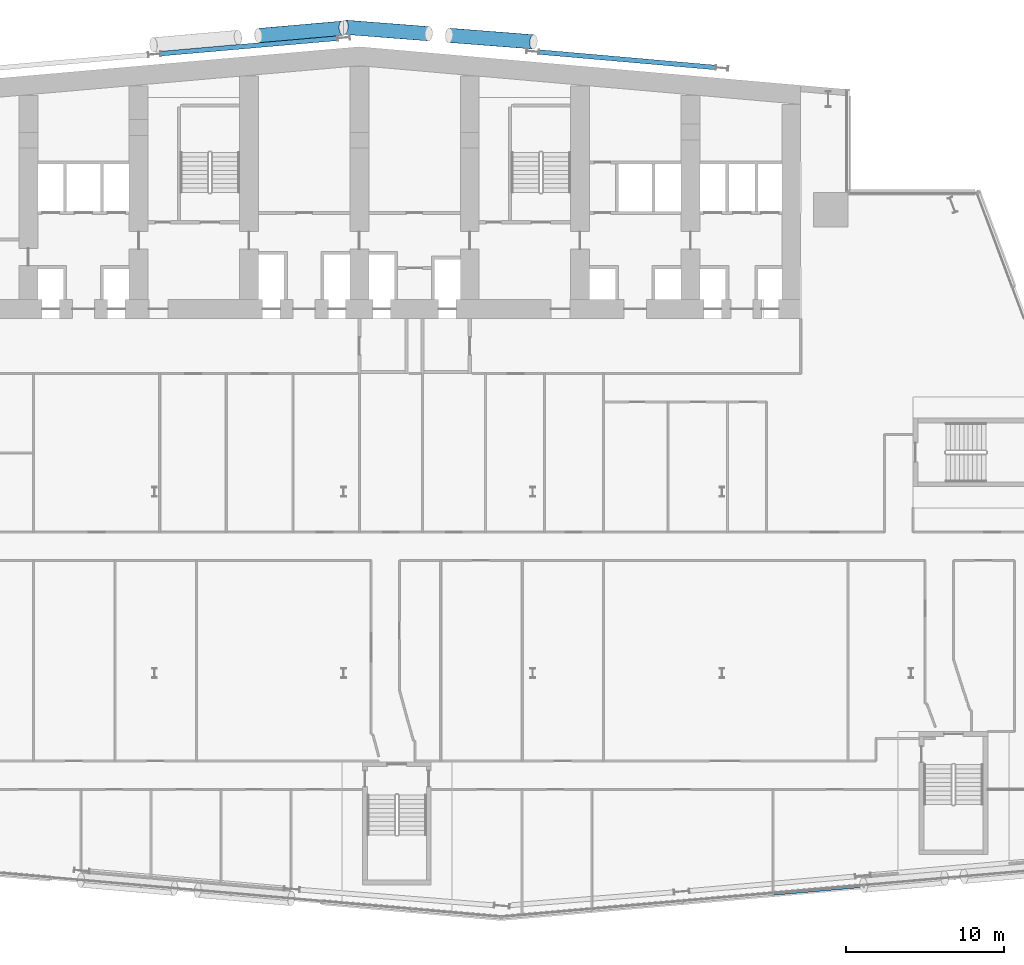
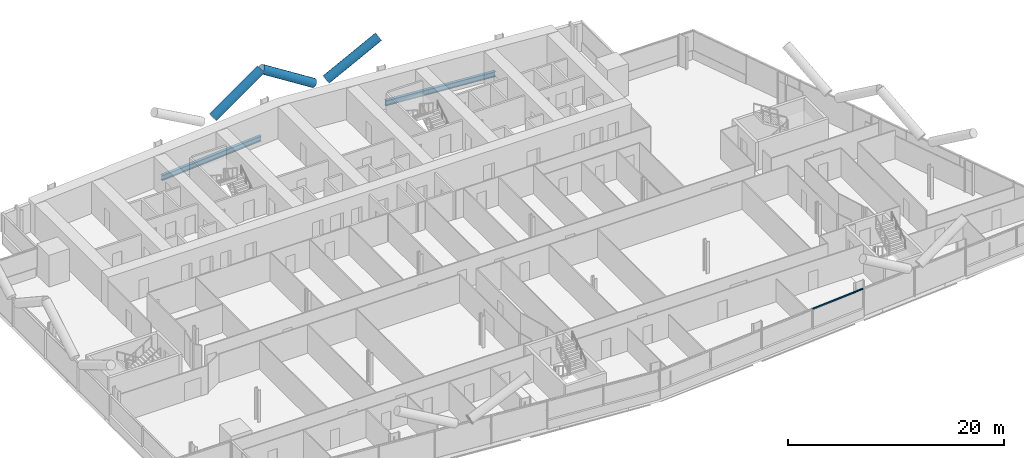
# One storey, part 8 of 27: 4 members, 2 beams, 1 element without a shape of its own.
"""IFC4 building model written with IfcOpenShell, lengths in metres."""

import ifcopenshell
import ifcopenshell.guid

model = None  # the IFC model being written
_history = None  # IfcOwnerHistory: only IFC2X3 demands one
_inside = {}  # id of a spatial element -> (the spatial element, [elements in it])
_under = {}  # id of a project, library or spatial element -> (it, [spatial elements below it])
_declared = {}  # id of a project -> (the project, [libraries it declares])
_typed = {}  # id of a type object -> (the type object, [elements of that type])
_made_of = {}  # id of a material, layer set ... -> (it, [elements and type objects made of it])


def new_model(schema):
    """Start an empty IFC model of exactly this schema.

    Asked for "IFC4X3", IfcOpenShell would pick the latest addendum, in which some entities
    have other attributes; the version numbers below select the first issue.
    IFC2X3 requires an IfcOwnerHistory on every rooted entity: one is made here for all.
    """
    global model, _history
    if schema == "IFC4X3":
        model = ifcopenshell.file(schema_version=(4, 3, 0, 0))
    else:
        model = ifcopenshell.file(schema=schema)
    _inside.clear()
    _under.clear()
    _declared.clear()
    _typed.clear()
    _made_of.clear()
    _history = None
    if model.schema == "IFC2X3":
        org = make("IfcOrganization", Name="unknown")
        user = make(
            "IfcPersonAndOrganization",
            ThePerson=make("IfcPerson", FamilyName="unknown"),
            TheOrganization=org,
        )
        app = make(
            "IfcApplication",
            ApplicationDeveloper=org,
            Version="unknown",
            ApplicationFullName="unknown",
            ApplicationIdentifier="unknown",
        )
        _history = make(
            "IfcOwnerHistory",
            OwningUser=user,
            OwningApplication=app,
            ChangeAction="ADDED",
            CreationDate=0,
        )
    return model


def make(cls, **values):
    """One entity of the class cls with the attributes given. An attribute that is None is left unset."""
    return model.create_entity(
        cls, **{name: value for name, value in values.items() if value is not None}
    )


def rooted(cls, **values):
    """An entity with a GlobalId (a new one), such as an element, a storey or a relation."""
    return make(cls, GlobalId=ifcopenshell.guid.new(), OwnerHistory=_history, **values)


def si_unit(unit_type, name, prefix=None):
    """IfcSIUnit, for example si_unit("LENGTHUNIT", "METRE", prefix="MILLI")."""
    return make("IfcSIUnit", UnitType=unit_type, Prefix=prefix, Name=name)


def assignment(units):
    """IfcUnitAssignment: the units of a project."""
    return None if units is None else make("IfcUnitAssignment", Units=units)


def point(xyz):
    """IfcCartesianPoint."""
    return None if xyz is None else make("IfcCartesianPoint", Coordinates=xyz)


def direction(xyz):
    """IfcDirection."""
    return None if xyz is None else make("IfcDirection", DirectionRatios=xyz)


def frame(location, z_axis=None, x_axis=None):
    """IfcAxis2Placement3D, a coordinate frame: its origin and axes. An axis left out is left unset."""
    return make(
        "IfcAxis2Placement3D",
        Location=point(location),
        Axis=direction(z_axis),
        RefDirection=direction(x_axis),
    )


def frame_2d(location, x_axis=None):
    """IfcAxis2Placement2D, a coordinate frame in the plane: its origin and x axis."""
    return make(
        "IfcAxis2Placement2D", Location=point(location), RefDirection=direction(x_axis)
    )


def origin():
    """The frame at (0, 0, 0) with its axes left unset."""
    return frame((0.0, 0.0, 0.0))


def origin_2d():
    """The frame at (0, 0) in the plane with its x axis left unset."""
    return frame_2d((0.0, 0.0))


def place(relative_to, where):
    """IfcLocalPlacement: puts the frame where relative to a parent placement (None: the world)."""
    return make(
        "IfcLocalPlacement", PlacementRelTo=relative_to, RelativePlacement=where
    )


def context(
    kind, dimensions, precision=None, world=None, true_north=None, identifier=None
):
    """IfcGeometricRepresentationContext, for example the 3D "Model" context."""
    return make(
        "IfcGeometricRepresentationContext",
        ContextIdentifier=identifier,
        ContextType=kind,
        CoordinateSpaceDimension=dimensions,
        Precision=precision,
        WorldCoordinateSystem=world,
        TrueNorth=true_north,
    )


def subcontext(parent, identifier, kind, view, scale=None):
    """IfcGeometricRepresentationSubContext, for example "Body" below "Model"."""
    return make(
        "IfcGeometricRepresentationSubContext",
        ContextIdentifier=identifier,
        ContextType=kind,
        ParentContext=parent,
        TargetScale=scale,
        TargetView=view,
    )


def project(units=None, contexts=None):
    """IfcProject with its units and contexts."""
    return rooted(
        "IfcProject",
        Name="project",
        RepresentationContexts=contexts,
        UnitsInContext=assignment(units),
    )


def spatial(cls, under=None, at=None, **own):
    """A site, building, storey or space (cls), placed at a placement, below another one or the project."""
    s = rooted(cls, ObjectPlacement=at, **own)
    if under is not None:
        _under.setdefault(under.id(), (under, []))[1].append(s)
    return s


def profile(cls, at=None, kind="AREA", **sizes):
    """A parametric profile (cls). Its sizes go by their IFC names, for example OverallWidth=200.0."""
    return make(cls, ProfileType=kind, Position=at, **sizes)


def rectangle(**sizes):
    """IfcRectangleProfileDef."""
    return profile("IfcRectangleProfileDef", **sizes)


def hollow_circle(**sizes):
    """IfcCircleHollowProfileDef."""
    return profile("IfcCircleHollowProfileDef", **sizes)


def i_section(**sizes):
    """IfcIShapeProfileDef."""
    return profile("IfcIShapeProfileDef", **sizes)


def extrude(swept, where, along, depth):
    """IfcExtrudedAreaSolid: the profile swept, set in the frame where, extruded along a direction by depth."""
    return make(
        "IfcExtrudedAreaSolid",
        SweptArea=swept,
        Position=where,
        ExtrudedDirection=direction(along),
        Depth=depth,
    )


def shape(context_of_items, identifier, shape_type, items):
    """IfcShapeRepresentation: the items that make up one representation, for example the "Body"."""
    return make(
        "IfcShapeRepresentation",
        ContextOfItems=context_of_items,
        RepresentationIdentifier=identifier,
        RepresentationType=shape_type,
        Items=items,
    )


def material(Name=None, Category=None):
    """IfcMaterial."""
    return make("IfcMaterial", Name=Name, Category=Category)


def material_profile(
    of_material, cross_section, Name=None, Category=None, Priority=None
):
    """IfcMaterialProfile: a cross section and its material."""
    return make(
        "IfcMaterialProfile",
        Name=Name,
        Material=of_material,
        Profile=cross_section,
        Priority=Priority,
        Category=Category,
    )


def profile_set(profiles, Name=None, composite=None):
    """IfcMaterialProfileSet."""
    return make(
        "IfcMaterialProfileSet",
        Name=Name,
        MaterialProfiles=profiles,
        CompositeProfile=composite,
    )


def made_of(thing, what):
    """Note that an element or type object is made of a material, layer set ...; save() writes the relation."""
    if what is not None:
        _made_of.setdefault(what.id(), (what, []))[1].append(thing)
    return thing


def type_object(cls, material=None, **own):
    """A type object (cls), such as IfcWallType, which elements share."""
    return made_of(rooted(cls, **own), material)


def element(
    cls,
    number,
    at=None,
    inside=None,
    cuts=None,
    type_object=None,
    material=None,
    context=None,
    identifier="Body",
    shape_type=None,
    held_by="IfcProductDefinitionShape",
    body=None,
    shapes=None,
    **own,
):
    """One element of the class cls, such as IfcWall. Its Tag is "e" and its number.

    at: its placement. inside: the storey or other place that contains it. cuts: it is an
    opening in that element (IfcRelVoidsElement). A single representation is given by context,
    identifier, shape_type and body (its items); several are given by shapes. held_by: the class
    of the entity that holds the representations. save() writes the other relations.
    """
    e = rooted(cls, Tag="e%d" % number, ObjectPlacement=at, **own)
    if body is not None:
        shapes = [shape(context, identifier, shape_type, body)]
    if shapes is not None:
        e.Representation = make(held_by, Representations=shapes)
    if inside is not None:
        _inside.setdefault(inside.id(), (inside, []))[1].append(e)
    if cuts is not None:
        rooted(
            "IfcRelVoidsElement", RelatingBuildingElement=cuts, RelatedOpeningElement=e
        )
    if type_object is not None:
        _typed.setdefault(type_object.id(), (type_object, []))[1].append(e)
    return made_of(e, material)


def aggregate(whole, parts):
    """IfcRelAggregates: a whole, such as a stair, and the parts it consists of."""
    return rooted("IfcRelAggregates", RelatingObject=whole, RelatedObjects=parts)


def save(model, path):
    """Write the relations noted so far, then the file.

    IfcRelAggregates (storeys below a building ...), IfcRelContainedInSpatialStructure (elements
    in a storey), IfcRelDefinesByType, IfcRelAssociatesMaterial and IfcRelDeclares: one each for
    every whole, place, type object, material and project.
    """
    for whole, parts in _under.values():
        aggregate(whole, parts)
    for where, things in _inside.values():
        rooted(
            "IfcRelContainedInSpatialStructure",
            RelatedElements=things,
            RelatingStructure=where,
        )
    for kind, things in _typed.values():
        rooted("IfcRelDefinesByType", RelatedObjects=things, RelatingType=kind)
    for what, things in _made_of.values():
        rooted("IfcRelAssociatesMaterial", RelatedObjects=things, RelatingMaterial=what)
    for by, libraries in _declared.values():
        rooted("IfcRelDeclares", RelatingContext=by, RelatedDefinitions=libraries)
    model.write(path)


model = new_model("IFC4")

# Units and contexts
model_context = context("Model", 3, precision=1e-05, world=origin(), true_north=direction((0.0, 1.0)))
body_context = subcontext(model_context, "Body", "Model", "MODEL_VIEW")
ifc_project = project(units=[si_unit("LENGTHUNIT", "METRE"), si_unit("AREAUNIT", "SQUARE_METRE"), si_unit("VOLUMEUNIT", "CUBIC_METRE"), si_unit("PLANEANGLEUNIT", "RADIAN"), si_unit("MASSUNIT", "GRAM", prefix="KILO")], contexts=[model_context])

# Site, building, storey
site_placement = place(None, origin())
site = spatial("IfcSite", under=ifc_project, at=site_placement, CompositionType="ELEMENT")
building_placement = place(site_placement, origin())
building = spatial("IfcBuilding", under=site, at=building_placement, Name="Wharfspan Tower", CompositionType="ELEMENT")
storey_placement = place(building_placement, frame((0.0, 0.0, 55.899902)))
storey = spatial("IfcBuildingStorey", under=building, at=storey_placement, Name="L10", CompositionType="ELEMENT", Elevation=55.899902)

# Beams
ifc_material_1 = material(Name="Steel S355J2", Category="steel")
ifc_material_profile_1 = material_profile(ifc_material_1, i_section(OverallWidth=0.300049, OverallDepth=0.600098, WebThickness=0.015381, FlangeThickness=0.030029, FilletRadius=0.0271, at=origin_2d()))
ifc_profile_set_1 = profile_set([ifc_material_profile_1], Name="Steel S355J2")
beam_type = type_object("IfcBeamType", Name="Edge beam HEB 600", PredefinedType="SPANDREL", material=ifc_profile_set_1)
for number, where, z_axis, x_axis, name in (
    (1, (59.598633, 49.919922, -0.699951), (-0.996194, 0.087165, 0.0), (-0.087165, -0.996194, 0.0), "Edge beam N2 L10 R.5 to R.4"),
    (2, (35.598633, 51.774414, -0.699951), (-0.996196, -0.087143, 0.0), (0.087143, -0.996196, 0.0), "Edge beam N1 L10 R.3 to R.2"),
):
    element("IfcBeam", number, at=place(storey_placement, frame(where, z_axis=z_axis, x_axis=x_axis)), inside=storey, type_object=beam_type, Name=name, PredefinedType="SPANDREL", context=body_context, shape_type="SweptSolid", body=[
        extrude(i_section(OverallWidth=0.300049, OverallDepth=0.600098, WebThickness=0.015381, FlangeThickness=0.030029, FilletRadius=0.0271, at=origin_2d()), origin(), (0.0, 0.0, 1.0), 11.23999),
    ])

# Members
ifc_material_2 = material(Name="Steel S460NH", Category="steel")
ifc_material_profile_2 = material_profile(ifc_material_2, hollow_circle(Radius=0.457031, WallThickness=0.040039, at=origin_2d()))
ifc_profile_set_2 = profile_set([ifc_material_profile_2], Name="Steel S460NH")
member_type_1 = type_object("IfcMemberType", Name="Mega brace CHS 914x40", PredefinedType="BRACE", material=ifc_profile_set_2)
member_1_placement = place(storey_placement, frame((30.597656, 51.944824, 3.290283), z_axis=(0.855094, 0.074809, 0.513048), x_axis=(-0.087154, 0.996195, 1e-06)))
element("IfcMember", 3, at=member_1_placement, inside=storey, type_object=member_type_1, Name="Mega brace N7 L10 part 2", PredefinedType="BRACE", context=body_context, shape_type="SweptSolid", body=[
    extrude(hollow_circle(Radius=0.457031, WallThickness=0.040039, at=origin_2d()), origin(), (0.0, 0.0, 1.0), 6.256104),
])
for number, where, z_axis, x_axis, name in (
    (4, (42.696533, 51.959961, 3.290283), (0.855527, -0.066474, 0.513473), (0.077466, 0.996995, 0.0), "Mega brace N8 L10 part 2"),
    (5, (41.396484, 52.060791, 3.290283), (-0.855527, 0.066474, 0.513473), (-0.077466, -0.996995, 0.0), "Mega brace N8 L10 part 4"),
):
    element("IfcMember", number, at=place(storey_placement, frame(where, z_axis=z_axis, x_axis=x_axis)), inside=storey, type_object=member_type_1, Name=name, PredefinedType="BRACE", context=body_context, shape_type="SweptSolid", body=[
        extrude(hollow_circle(Radius=0.457031, WallThickness=0.040039, at=origin_2d()), origin(), (0.0, 0.0, 1.0), 6.250977),
    ])

# Curtain wall, member
ifc_material_3 = material(Name="Aluminium 6063-T6", Category="aluminium")
curtain_wall_type = type_object("IfcCurtainWallType", Name="CURTAIN WALL FACETED FRONT", PredefinedType="NOTDEFINED", material=ifc_material_3)
curtain_wall_placement = place(storey_placement, origin())
curtain_wall = element("IfcCurtainWall", 6, at=curtain_wall_placement, inside=storey, type_object=curtain_wall_type, Name="Curtain wall S2", PredefinedType="NOTDEFINED")
ifc_material_profile_3 = material_profile(ifc_material_3, rectangle(XDim=0.159912, YDim=0.080078, at=origin_2d()))
ifc_profile_set_3 = profile_set([ifc_material_profile_3], Name="Aluminium 6063-T6")
member_type_2 = type_object("IfcMemberType", Name="TRANSOM FACETED FRONT 80x160", PredefinedType="USERDEFINED", material=ifc_profile_set_3)
member_2_placement = place(storey_placement, frame((63.279785, -2.512695, 3.160156), z_axis=(0.996195, 0.087148, 0.0), x_axis=(-0.087148, 0.996195, 0.0)))
member_2 = element("IfcMember", 7, at=member_2_placement, type_object=member_type_2, Name="Curtain wall S2 transom 4", ObjectType="TRANSOM", PredefinedType="USERDEFINED", context=body_context, shape_type="SweptSolid", body=[
    extrude(rectangle(XDim=0.159912, YDim=0.080078, at=origin_2d()), origin(), (0.0, 0.0, 1.0), 5.712158),
])
aggregate(curtain_wall, [member_2])

save(model, "model.ifc")
